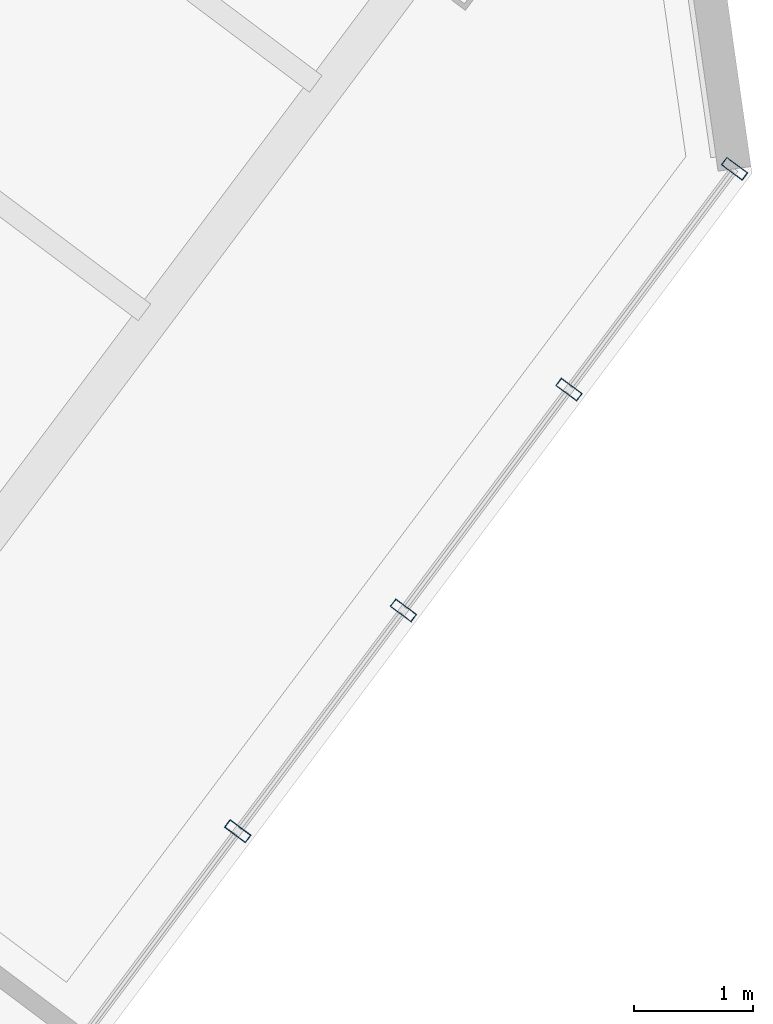
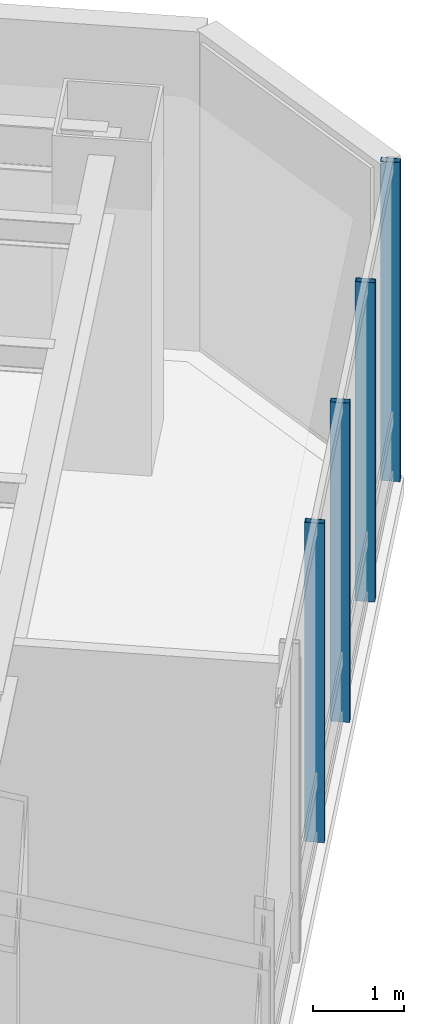
# One storey, part 17 of 29: 4 members, 1 element without a shape of its own.
"""IFC4 building model written with IfcOpenShell, lengths in metres."""

from ifc_helpers import new_model, si_unit, direction, frame, origin, origin_2d, place, context, subcontext, project, spatial, hollow_rectangle, extrude, material, layer, layer_set, material_profile, profile_set, type_object, element, aggregate, save


model = new_model("IFC4")

# Units and contexts
model_context = context("Model", 3, precision=1e-05, world=origin(), true_north=direction((0.0, 1.0)))
body_context = subcontext(model_context, "Body", "Model", "MODEL_VIEW")
ifc_project = project(units=[si_unit("LENGTHUNIT", "METRE"), si_unit("AREAUNIT", "SQUARE_METRE"), si_unit("VOLUMEUNIT", "CUBIC_METRE"), si_unit("PLANEANGLEUNIT", "RADIAN"), si_unit("MASSUNIT", "GRAM", prefix="KILO")], contexts=[model_context])

# Site, building, storey
site_placement = place(None, origin())
site = spatial("IfcSite", under=ifc_project, at=site_placement, CompositionType="ELEMENT")
building_placement = place(site_placement, origin())
building = spatial("IfcBuilding", under=site, at=building_placement, Name="Hatsunagi Terrace Concourse", CompositionType="ELEMENT")
storey_placement = place(building_placement, frame((0.0, 0.0, 32.10009765625)))
storey = spatial("IfcBuildingStorey", under=building, at=storey_placement, Name="L07", CompositionType="ELEMENT", Elevation=32.10009765625)

# Curtain wall, members
ifc_material_1 = material(Name="Anodised Aluminium Alloy 6063-T5", Category="aluminium")
ifc_layer = layer(ifc_material_1, 0.199951171875)
ifc_layer_set = layer_set([ifc_layer], Name="SkyLobbyAtrium_CW05")
curtain_wall_type = type_object("IfcCurtainWallType", Name="SkyLobbyAtrium_CW05", PredefinedType="NOTDEFINED", material=ifc_layer_set)
curtain_wall_placement = place(storey_placement, origin())
curtain_wall = element("IfcCurtainWall", 1, at=curtain_wall_placement, inside=storey, type_object=curtain_wall_type, Name="Unitised Curtain Wall CW-05 CW-L07-03", PredefinedType="NOTDEFINED")
ifc_material_2 = material(Name="Anodised Aluminium Alloy 6063-T5", Category="aluminium")
ifc_material_profile = material_profile(ifc_material_2, hollow_rectangle(XDim=0.080078125, YDim=0.219970703125, WallThickness=0.0048828125, at=origin_2d()), Name="ALU-MUL-220x80x5")
ifc_profile_set = profile_set([ifc_material_profile], Name="Anodised Aluminium Alloy 6063-T5")
member_type = type_object("IfcMemberType", Name="CurtainWallMullion_Heavy_220x80", PredefinedType="MULLION", material=ifc_profile_set)
member_1_placement = place(storey_placement, frame((69.093017578125, 19.657958984375, 0.0), z_axis=(0.0, 0.0, 1.0), x_axis=(-0.599969314634, -0.800023013105, 0.0)))
member_1 = element("IfcMember", 2, at=member_1_placement, type_object=member_type, Name="Curtain Wall Mullion MUL-01", PredefinedType="MULLION", context=body_context, shape_type="SweptSolid", body=[
    extrude(hollow_rectangle(XDim=0.080078125, YDim=0.219970703125, WallThickness=0.0048828125, at=origin_2d()), origin(), (0.0, 0.0, 1.0), 4.27978515625),
])
member_2_placement = place(storey_placement, frame((67.700927734375, 17.802001953125, 0.0), z_axis=(0.0, 0.0, 1.0), x_axis=(-0.599969314634, -0.800023013105, 0.0)))
member_2 = element("IfcMember", 3, at=member_2_placement, type_object=member_type, Name="Curtain Wall Mullion MUL-01", PredefinedType="MULLION", context=body_context, shape_type="SweptSolid", body=[
    extrude(hollow_rectangle(XDim=0.080078125, YDim=0.219970703125, WallThickness=0.0048828125, at=origin_2d()), origin(), (0.0, 0.0, 1.0), 4.27978515625),
])
member_3_placement = place(storey_placement, frame((66.30908203125, 15.945068359375, 0.0), z_axis=(0.0, 0.0, 1.0), x_axis=(-0.599969314634, -0.800023013105, 0.0)))
member_3 = element("IfcMember", 4, at=member_3_placement, type_object=member_type, Name="Curtain Wall Mullion MUL-01", PredefinedType="MULLION", context=body_context, shape_type="SweptSolid", body=[
    extrude(hollow_rectangle(XDim=0.080078125, YDim=0.219970703125, WallThickness=0.0048828125, at=origin_2d()), origin(), (0.0, 0.0, 1.0), 4.27978515625),
])
member_4_placement = place(storey_placement, frame((64.916015625, 14.089111328125, 0.0), z_axis=(0.0, 0.0, 1.0), x_axis=(-0.599969314634, -0.800023013105, 0.0)))
member_4 = element("IfcMember", 5, at=member_4_placement, type_object=member_type, Name="Curtain Wall Mullion MUL-01", PredefinedType="MULLION", context=body_context, shape_type="SweptSolid", body=[
    extrude(hollow_rectangle(XDim=0.080078125, YDim=0.219970703125, WallThickness=0.0048828125, at=origin_2d()), origin(), (0.0, 0.0, 1.0), 4.27978515625),
])
aggregate(curtain_wall, [member_1, member_2, member_3, member_4])

save(model, "model.ifc")
